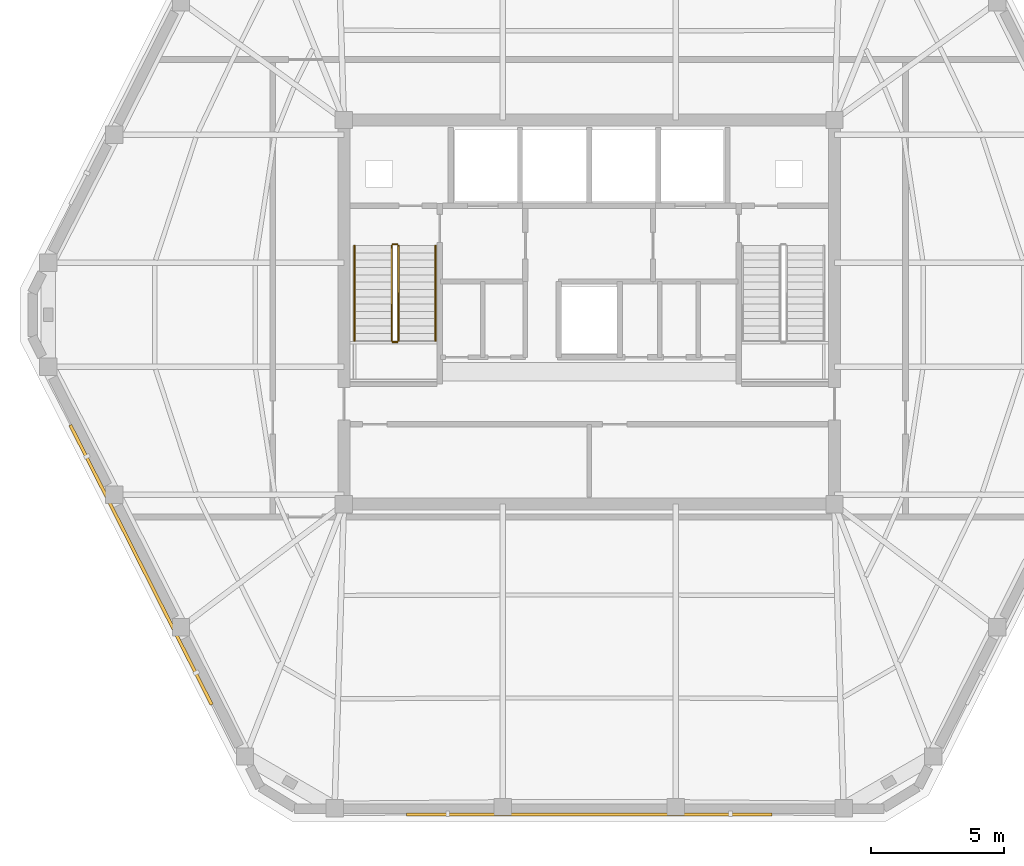
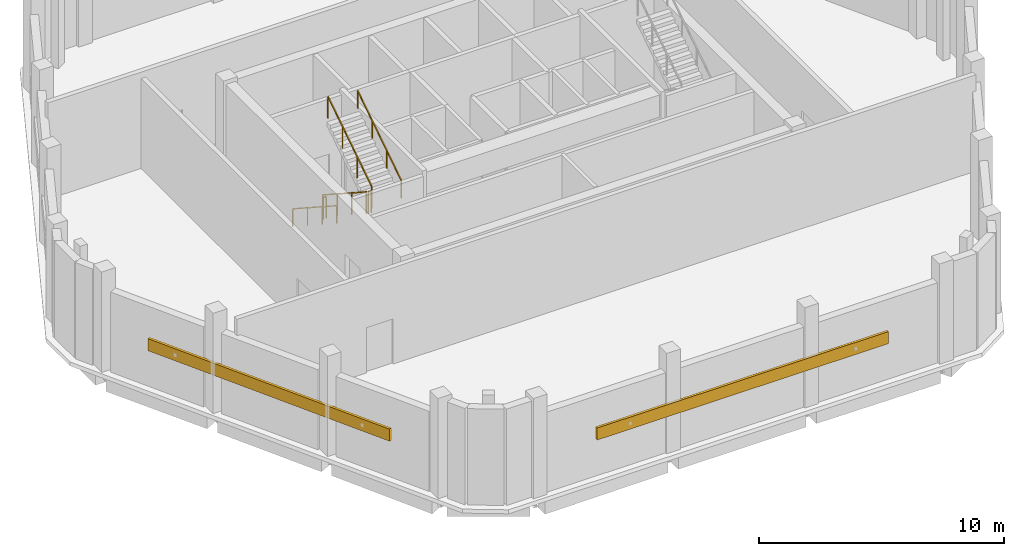
# One storey, part 6 of 8: 6 railings, 2 shading devices.
"""IFC4 building model written with IfcOpenShell, lengths in metres."""

from ifc_helpers import new_model, si_unit, direction, frame, origin, origin_2d, place, context, subcontext, project, spatial, rectangle, extrude, material, layer, layer_set, type_object, element, save


model = new_model("IFC4")

# Units and contexts
model_context = context("Model", 3, precision=1e-05, world=origin(), true_north=direction((0.0, 1.0)))
body_context = subcontext(model_context, "Body", "Model", "MODEL_VIEW")
ifc_project = project(units=[si_unit("LENGTHUNIT", "METRE"), si_unit("AREAUNIT", "SQUARE_METRE"), si_unit("VOLUMEUNIT", "CUBIC_METRE"), si_unit("PLANEANGLEUNIT", "RADIAN"), si_unit("MASSUNIT", "GRAM", prefix="KILO")], contexts=[model_context])

# Site, building, storey
site_placement = place(None, origin())
site = spatial("IfcSite", under=ifc_project, at=site_placement, CompositionType="ELEMENT")
building_placement = place(site_placement, origin())
building = spatial("IfcBuilding", under=site, at=building_placement, Name="Cinnabar Lancet Tower", CompositionType="ELEMENT")
storey_placement = place(building_placement, frame((0.0, 0.0, 295.5)))
storey = spatial("IfcBuildingStorey", under=building, at=storey_placement, Name="L78", CompositionType="ELEMENT", Elevation=295.5)

# Shading devices
ifc_material_1 = material(Name="Anodized acoustic plant weather louvre", Category="aluminium")
ifc_layer = layer(ifc_material_1, 0.094970703125)
ifc_layer_set = layer_set([ifc_layer], Name="Anodized acoustic plant weather louvre")
shading_device_type = type_object("IfcShadingDeviceType", Name="ENV-SHD-LVR-600", PredefinedType="JALOUSIE", material=ifc_layer_set)
shading_device_1_placement = place(storey_placement, frame((32.39990234375, 7.010009765625, 1.849853515625), z_axis=(0.0, 0.0, 1.0), x_axis=(1.0, 0.0, 0.0)))
element("IfcShadingDevice", 1, at=shading_device_1_placement, inside=storey, type_object=shading_device_type, Name="L78 Face 1 Acoustic Plant Weather Louvre", PredefinedType="JALOUSIE", context=body_context, shape_type="SweptSolid", body=[
    extrude(rectangle(XDim=13.735107421875, YDim=0.1201171875, at=origin_2d()), origin(), (0.0, 0.0, 1.0), 0.60009765625),
])
shading_device_2_placement = place(storey_placement, frame((15.549072265625, 16.39404296875, 1.849853515625), z_axis=(0.0, 0.0, 1.0), x_axis=(0.451329261197, -0.892357494498, 0.0)))
element("IfcShadingDevice", 2, at=shading_device_2_placement, inside=storey, type_object=shading_device_type, Name="L78 Face 6 Acoustic Plant Weather Louvre", PredefinedType="JALOUSIE", context=body_context, shape_type="SweptSolid", body=[
    extrude(rectangle(XDim=11.777099609375, YDim=0.1201171875, at=origin_2d()), origin(), (0.0, 0.0, 1.0), 0.60009765625),
])

# Railings
ifc_material_2 = material(Name="Painted galvanized steel balustrade", Category="steel")
railing_type_1 = type_object("IfcRailingType", Name="GUARD-STAIR", PredefinedType="GUARDRAIL", material=ifc_material_2)
railing_1_placement = place(storey_placement, frame((24.97509765625, 28.39990234375, 0.178466796875)))
element("IfcRailing", 3, at=railing_1_placement, inside=storey, type_object=railing_type_1, Name="L78 ST-1 stair guard 1", PredefinedType="GUARDRAIL", context=body_context, shape_type="SweptSolid", body=[
    extrude(rectangle(XDim=0.048095703125, YDim=0.048095703125, at=origin_2d()), frame((0.0, 0.0, 1.076171875), z_axis=(0.0, -0.838677772457, 0.544627940879), x_axis=(1.0, 0.0, 0.0)), (0.0, 0.0, 1.0), 4.2626953125),
    extrude(rectangle(XDim=0.0419921875, YDim=0.0419921875, at=origin_2d()), origin(), (0.0, 0.0, 1.0), 1.052001953125),
    extrude(rectangle(XDim=0.0419921875, YDim=0.0419921875, at=origin_2d()), frame((0.0, -1.191650390625, 0.77392578125)), (0.0, 0.0, 1.0), 1.052001953125),
    extrude(rectangle(XDim=0.0419921875, YDim=0.0419921875, at=origin_2d()), frame((0.0, -2.38330078125, 1.547607421875)), (0.0, 0.0, 1.0), 1.052001953125),
    extrude(rectangle(XDim=0.0419921875, YDim=0.0419921875, at=origin_2d()), frame((0.0, -3.574951171875, 2.321533203125)), (0.0, 0.0, 1.0), 1.052001953125),
])
railing_2_placement = place(storey_placement, frame((25.02490234375, 24.77490234375, 2.5)))
element("IfcRailing", 4, at=railing_2_placement, inside=storey, type_object=railing_type_1, Name="L78 ST-1 stair guard 2", PredefinedType="GUARDRAIL", context=body_context, shape_type="SweptSolid", body=[
    extrude(rectangle(XDim=0.048095703125, YDim=0.048095703125, at=origin_2d()), frame((0.0, 0.0, 1.076171875), z_axis=(1.0, 0.0, 0.0), x_axis=(0.0, 1.0, 0.0)), (0.0, 0.0, 1.0), 0.150146484375),
    extrude(rectangle(XDim=0.0419921875, YDim=0.0419921875, at=origin_2d()), origin(), (0.0, 0.0, 1.0), 1.052001953125),
    extrude(rectangle(XDim=0.0419921875, YDim=0.0419921875, at=origin_2d()), frame((0.150146484375, 0.0, 0.0)), (0.0, 0.0, 1.0), 1.052001953125),
])
railing_3_placement = place(storey_placement, frame((25.22509765625, 24.824951171875, 2.678466796875)))
element("IfcRailing", 5, at=railing_3_placement, inside=storey, type_object=railing_type_1, Name="L78 ST-1 stair guard 3", PredefinedType="GUARDRAIL", context=body_context, shape_type="SweptSolid", body=[
    extrude(rectangle(XDim=0.048095703125, YDim=0.048095703125, at=origin_2d()), frame((0.0, 0.0, 1.076171875), z_axis=(0.0, 0.838677772457, 0.544627940879), x_axis=(-1.0, 0.0, 0.0)), (0.0, 0.0, 1.0), 4.2626953125),
    extrude(rectangle(XDim=0.0419921875, YDim=0.0419921875, at=origin_2d()), origin(), (0.0, 0.0, 1.0), 1.052001953125),
    extrude(rectangle(XDim=0.0419921875, YDim=0.0419921875, at=origin_2d()), frame((0.0, 1.191650390625, 0.77392578125)), (0.0, 0.0, 1.0), 1.052001953125),
    extrude(rectangle(XDim=0.0419921875, YDim=0.0419921875, at=origin_2d()), frame((0.0, 2.38330078125, 1.547607421875)), (0.0, 0.0, 1.0), 1.052001953125),
    extrude(rectangle(XDim=0.0419921875, YDim=0.0419921875, at=origin_2d()), frame((0.0, 3.574951171875, 2.321533203125)), (0.0, 0.0, 1.0), 1.052001953125),
])
railing_4_placement = place(storey_placement, frame((25.02490234375, 28.449951171875, 0.0)))
element("IfcRailing", 6, at=railing_4_placement, inside=storey, type_object=railing_type_1, Name="L78 ST-1 stair guard 4", PredefinedType="GUARDRAIL", context=body_context, shape_type="SweptSolid", body=[
    extrude(rectangle(XDim=0.048095703125, YDim=0.048095703125, at=origin_2d()), frame((0.0, 0.0, 1.076171875), z_axis=(1.0, 0.0, 0.0), x_axis=(0.0, 1.0, 0.0)), (0.0, 0.0, 1.0), 0.150146484375),
    extrude(rectangle(XDim=0.0419921875, YDim=0.0419921875, at=origin_2d()), origin(), (0.0, 0.0, 1.0), 1.052001953125),
    extrude(rectangle(XDim=0.0419921875, YDim=0.0419921875, at=origin_2d()), frame((0.150146484375, 0.0, 0.0)), (0.0, 0.0, 1.0), 1.052001953125),
])
ifc_material_3 = material(Name="Brushed stainless steel handrail", Category="steel")
railing_type_2 = type_object("IfcRailingType", Name="HANDRAIL-STAIR", PredefinedType="HANDRAIL", material=ifc_material_3)
railing_5_placement = place(storey_placement, frame((23.574951171875, 28.39990234375, 0.178466796875)))
element("IfcRailing", 7, at=railing_5_placement, inside=storey, type_object=railing_type_2, Name="L78 ST-1 stair handrail 1", PredefinedType="HANDRAIL", context=body_context, shape_type="SweptSolid", body=[
    extrude(rectangle(XDim=0.048095703125, YDim=0.048095703125, at=origin_2d()), frame((0.0, 0.0, 0.8759765625), z_axis=(0.0, -0.838677772457, 0.544627940879), x_axis=(1.0, 0.0, 0.0)), (0.0, 0.0, 1.0), 4.2626953125),
    extrude(rectangle(XDim=0.0419921875, YDim=0.0419921875, at=origin_2d()), origin(), (0.0, 0.0, 1.0), 0.851806640625),
    extrude(rectangle(XDim=0.0419921875, YDim=0.0419921875, at=origin_2d()), frame((0.0, -1.191650390625, 0.77392578125)), (0.0, 0.0, 1.0), 0.851806640625),
    extrude(rectangle(XDim=0.0419921875, YDim=0.0419921875, at=origin_2d()), frame((0.0, -2.38330078125, 1.547607421875)), (0.0, 0.0, 1.0), 0.851806640625),
    extrude(rectangle(XDim=0.0419921875, YDim=0.0419921875, at=origin_2d()), frame((0.0, -3.574951171875, 2.321533203125)), (0.0, 0.0, 1.0), 0.851806640625),
])
railing_6_placement = place(storey_placement, frame((26.625, 24.824951171875, 2.678466796875)))
element("IfcRailing", 8, at=railing_6_placement, inside=storey, type_object=railing_type_2, Name="L78 ST-1 stair handrail 2", PredefinedType="HANDRAIL", context=body_context, shape_type="SweptSolid", body=[
    extrude(rectangle(XDim=0.048095703125, YDim=0.048095703125, at=origin_2d()), frame((0.0, 0.0, 0.8759765625), z_axis=(0.0, 0.838677772457, 0.544627940879), x_axis=(-1.0, 0.0, 0.0)), (0.0, 0.0, 1.0), 4.2626953125),
    extrude(rectangle(XDim=0.0419921875, YDim=0.0419921875, at=origin_2d()), origin(), (0.0, 0.0, 1.0), 0.851806640625),
    extrude(rectangle(XDim=0.0419921875, YDim=0.0419921875, at=origin_2d()), frame((0.0, 1.191650390625, 0.77392578125)), (0.0, 0.0, 1.0), 0.851806640625),
    extrude(rectangle(XDim=0.0419921875, YDim=0.0419921875, at=origin_2d()), frame((0.0, 2.38330078125, 1.547607421875)), (0.0, 0.0, 1.0), 0.851806640625),
    extrude(rectangle(XDim=0.0419921875, YDim=0.0419921875, at=origin_2d()), frame((0.0, 3.574951171875, 2.321533203125)), (0.0, 0.0, 1.0), 0.851806640625),
])

save(model, "model.ifc")
